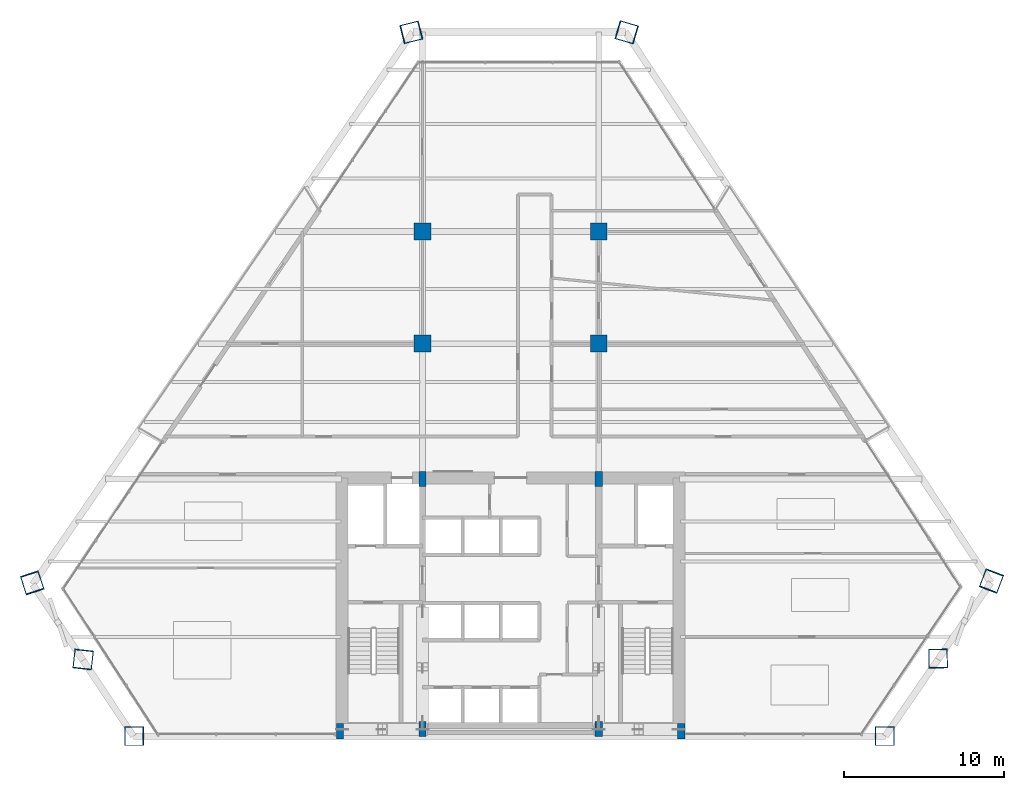
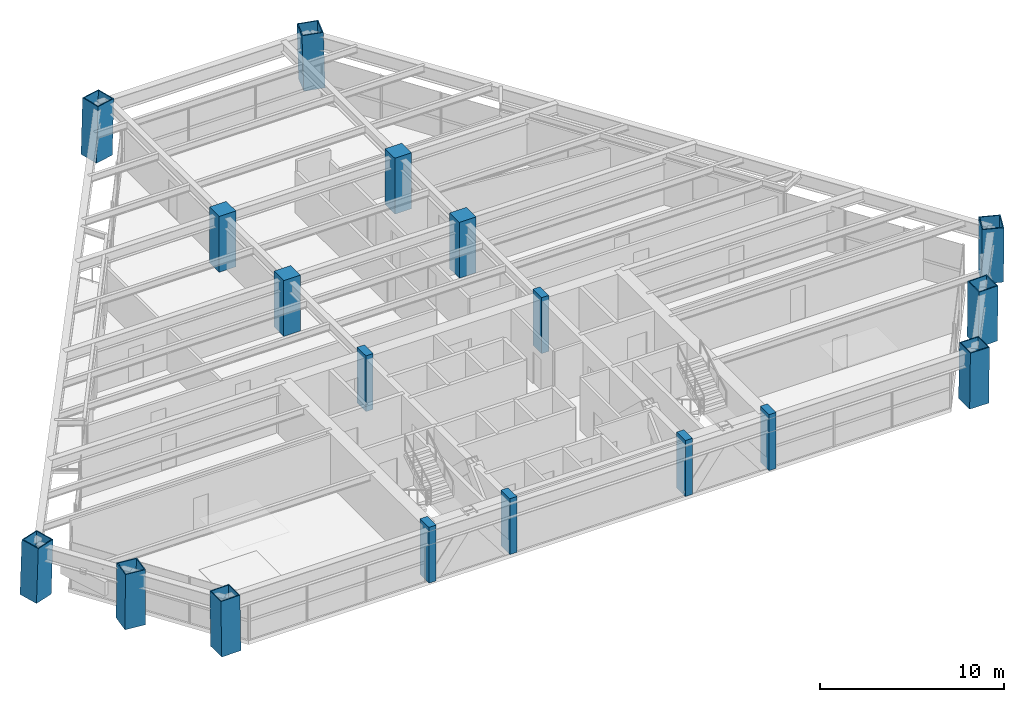
# One storey, part 1 of 14: 18 columns.
"""IFC4 building model written with IfcOpenShell, lengths in metres."""

from ifc_helpers import new_model, si_unit, direction, frame, origin, origin_2d, place, context, subcontext, project, spatial, rectangle, hollow_rectangle, extrude, source, transform, mapped, material, material_profile, profile_set, type_object, type_shapes, element, save


model = new_model("IFC4")

# Units and contexts
model_context = context("Model", 3, precision=1e-05, world=origin(), true_north=direction((0.0, 1.0)))
body_context = subcontext(model_context, "Body", "Model", "MODEL_VIEW")
ifc_project = project(units=[si_unit("LENGTHUNIT", "METRE"), si_unit("AREAUNIT", "SQUARE_METRE"), si_unit("VOLUMEUNIT", "CUBIC_METRE"), si_unit("PLANEANGLEUNIT", "RADIAN"), si_unit("MASSUNIT", "GRAM", prefix="KILO")], contexts=[model_context])

# Site, building, storey
site_placement = place(None, origin())
site = spatial("IfcSite", under=ifc_project, at=site_placement, CompositionType="ELEMENT")
building_placement = place(site_placement, origin())
building = spatial("IfcBuilding", under=site, at=building_placement, Name="Varnakhor Terracotta Tower", CompositionType="ELEMENT")
storey_placement = place(building_placement, frame((0.0, 0.0, 87.699951171875)))
storey = spatial("IfcBuildingStorey", under=building, at=storey_placement, Name="L21", CompositionType="ELEMENT", Elevation=87.699951171875)

# Columns
ifc_material_1 = material(Name="Concrete C50/60", Category="concrete")
ifc_material_profile_1 = material_profile(ifc_material_1, rectangle(XDim=0.449951171875, YDim=0.949951171875, at=origin_2d()), Name="RC PILASTER 950x450")
ifc_profile_set_1 = profile_set([ifc_material_profile_1], Name="Concrete C50/60")
column_type_1 = type_object("IfcColumnType", Name="COL-PIL-950x450", PredefinedType="PILASTER", material=ifc_profile_set_1)
shared_shape_1 = source(origin(), body_context, "Body", "SweptSolid", [
    extrude(rectangle(XDim=0.449951171875, YDim=0.949951171875, at=origin_2d()), origin(), (0.0, 0.0, 1.0), 3.699951171875),
])
for number, where, z_axis, x_axis, name in (
    (1, (-10.64990234375, 0.300048828125, 0.0), (0.0, 0.0, 1.0), (1.0, 0.0, 0.0), "L21 Core Pilaster CP1"),
    (2, (-5.5, 0.449951171875, 0.0), (0.0, 0.0, 1.0), (1.0, 0.0, 0.0), "L21 Core Pilaster CP2"),
    (3, (5.5, 0.449951171875, 0.0), (0.0, 0.0, 1.0), (1.0, 0.0, 0.0), "L21 Core Pilaster CP3"),
    (4, (10.64990234375, 0.300048828125, 0.0), (0.0, 0.0, 1.0), (1.0, 0.0, 0.0), "L21 Core Pilaster CP4"),
    (5, (-5.5, 16.050048828125, 0.0), (0.0, 0.0, 1.0), (1.0, 0.0, 0.0), "L21 Core Pilaster CP5"),
    (6, (5.5, 16.050048828125, 0.0), (0.0, 0.0, 1.0), (1.0, 0.0, 0.0), "L21 Core Pilaster CP6"),
):
    element("IfcColumn", number, at=place(storey_placement, frame(where, z_axis=z_axis, x_axis=x_axis)), inside=storey, type_object=column_type_1, Name=name, PredefinedType="PILASTER", context=body_context, shape_type="MappedRepresentation", body=[
        mapped(shared_shape_1, transform((0.0, 0.0, 0.0), scale=1.0)),
    ])
ifc_material_2 = material(Name="Concrete C60/75", Category="concrete")
ifc_material_profile_2 = material_profile(ifc_material_2, rectangle(XDim=1.050048828125, YDim=1.050048828125, at=origin_2d()), Name="RC 1050x1050")
ifc_profile_set_2 = profile_set([ifc_material_profile_2], Name="Concrete C60/75")
column_type_2 = type_object("IfcColumnType", Name="COL-RC-1050", PredefinedType="COLUMN", material=ifc_profile_set_2)
shared_shape_2 = source(origin(), body_context, "Body", "SweptSolid", [
    extrude(rectangle(XDim=1.050048828125, YDim=1.050048828125, at=origin_2d()), origin(), (0.0, 0.0, 1.0), 3.699951171875),
])
for number, where, z_axis, x_axis, name in (
    (7, (-5.5, 24.5, 0.0), (0.0, 0.0, 1.0), (1.0, 0.0, 0.0), "L21 Interior Tower Column IC1"),
    (8, (5.5, 24.5, 0.0), (0.0, 0.0, 1.0), (1.0, 0.0, 0.0), "L21 Interior Tower Column IC2"),
    (9, (-5.5, 31.5, 0.0), (0.0, 0.0, 1.0), (1.0, 0.0, 0.0), "L21 Interior Tower Column IC3"),
    (10, (5.5, 31.5, 0.0), (0.0, 0.0, 1.0), (1.0, 0.0, 0.0), "L21 Interior Tower Column IC4"),
):
    element("IfcColumn", number, at=place(storey_placement, frame(where, z_axis=z_axis, x_axis=x_axis)), inside=storey, type_object=column_type_2, Name=name, PredefinedType="COLUMN", context=body_context, shape_type="MappedRepresentation", body=[
        mapped(shared_shape_2, transform((0.0, 0.0, 0.0), scale=1.0)),
    ])
ifc_material_3 = material(Name="Steel S460", Category="steel")
ifc_material_profile_3 = material_profile(ifc_material_3, hollow_rectangle(XDim=1.199951171875, YDim=1.199951171875, WallThickness=0.06005859375, at=origin_2d()), Name="BOX 1200x1200x60")
ifc_profile_set_3 = profile_set([ifc_material_profile_3], Name="Steel S460")
column_type_3 = type_object("IfcColumnType", Name="COL-MEGA-1200", PredefinedType="COLUMN", material=ifc_profile_set_3)
shared_shape_3 = source(origin(), body_context, "Body", "SweptSolid", [
    extrude(hollow_rectangle(XDim=1.199951171875, YDim=1.199951171875, WallThickness=0.06005859375, at=origin_2d()), origin(), (0.0, 0.0, 1.0), 3.691650390625),
])
type_shapes(column_type_3, [shared_shape_3])
for number, where, z_axis, x_axis, name in (
    (11, (-23.496337890625, 0.0, 0.00439453125), (-0.014946408819, 0.0, 0.999888296193), (0.0, -1.0, 0.0), "L21 Perimeter Mega-Column M1"),
    (12, (26.684814453125, 4.849365234375, 0.00439453125), (0.000264533588, -0.016070415444, 0.999870827542), (0.999864546824, 0.016458675668, 0.0), "L21 Perimeter Mega-Column M3"),
    (13, (-26.683837890625, 4.793701171875, 0.00439453125), (-0.001917835692, -0.01699599217, 0.999853718379), (0.993693674706, -0.112128858235, 0.0), "L21 Perimeter Mega-Column M8"),
):
    element("IfcColumn", number, at=place(storey_placement, frame(where, z_axis=z_axis, x_axis=x_axis)), inside=storey, type_object=column_type_3, Name=name, PredefinedType="COLUMN", context=body_context, shape_type="MappedRepresentation", body=[
        mapped(shared_shape_3, transform((0.0, 0.0, 0.0), scale=1.0)),
    ])
shared_shape_4 = source(origin(), body_context, "Body", "SweptSolid", [
    extrude(hollow_rectangle(XDim=1.199951171875, YDim=1.199951171875, WallThickness=0.06005859375, at=origin_2d()), origin(), (0.0, 0.0, 1.0), 3.69140625),
])
column_1_placement = place(storey_placement, frame((23.34521484375, 0.0, 0.00439453125), z_axis=(0.01256597649, 0.0, 0.999921045), x_axis=(0.0, 1.0, 0.0)))
element("IfcColumn", 14, at=column_1_placement, inside=storey, type_object=column_type_3, Name="L21 Perimeter Mega-Column M2", PredefinedType="COLUMN", context=body_context, shape_type="MappedRepresentation", body=[
    mapped(shared_shape_4, transform((0.0, 0.0, 0.0), scale=1.0)),
])
shared_shape_5 = source(origin(), body_context, "Body", "SweptSolid", [
    extrude(hollow_rectangle(XDim=1.199951171875, YDim=1.199951171875, WallThickness=0.06005859375, at=origin_2d()), origin(), (0.0, 0.0, 1.0), 3.693359375),
])
column_2_placement = place(storey_placement, frame((30.024658203125, 9.69873046875, 0.00439453125), z_axis=(-0.012229027521, -0.032125985813, 0.999409011327), x_axis=(0.934579094342, -0.35575541657, 0.0)))
element("IfcColumn", 15, at=column_2_placement, inside=storey, type_object=column_type_3, Name="L21 Perimeter Mega-Column M4", PredefinedType="COLUMN", context=body_context, shape_type="MappedRepresentation", body=[
    mapped(shared_shape_5, transform((0.0, 0.0, 0.0), scale=1.0)),
])
shared_shape_6 = source(origin(), body_context, "Body", "SweptSolid", [
    extrude(hollow_rectangle(XDim=1.199951171875, YDim=1.199951171875, WallThickness=0.06005859375, at=origin_2d()), origin(), (0.0, 0.0, 1.0), 3.693603515625),
])
column_3_placement = place(storey_placement, frame((-29.87158203125, 9.587158203125, 0.00439453125), z_axis=(0.011104770243, -0.033909209135, 0.999363222064), x_axis=(0.950337370987, 0.311221595177, 0.0)))
element("IfcColumn", 16, at=column_3_placement, inside=storey, type_object=column_type_3, Name="L21 Perimeter Mega-Column M7", PredefinedType="COLUMN", context=body_context, shape_type="MappedRepresentation", body=[
    mapped(shared_shape_6, transform((0.0, 0.0, 0.0), scale=1.0)),
])
shared_shape_7 = source(origin(), body_context, "Body", "SweptSolid", [
    extrude(hollow_rectangle(XDim=1.199951171875, YDim=1.199951171875, WallThickness=0.06005859375, at=origin_2d()), origin(), (0.0, 0.0, 1.0), 3.692626953125),
])
column_4_placement = place(storey_placement, frame((7.260986328125, 43.93115234375, 0.00439453125), z_axis=(-0.025984254252, 0.007603534959, 0.999633435209), x_axis=(-0.280843888729, -0.959753463221, 0.0)))
element("IfcColumn", 17, at=column_4_placement, inside=storey, type_object=column_type_3, Name="L21 Perimeter Mega-Column M5", PredefinedType="COLUMN", context=body_context, shape_type="MappedRepresentation", body=[
    mapped(shared_shape_7, transform((0.0, 0.0, 0.0), scale=1.0)),
])
shared_shape_8 = source(origin(), body_context, "Body", "SweptSolid", [
    extrude(hollow_rectangle(XDim=1.199951171875, YDim=1.199951171875, WallThickness=0.06005859375, at=origin_2d()), origin(), (0.0, 0.0, 1.0), 3.69287109375),
])
column_5_placement = place(storey_placement, frame((-6.219482421875, 43.93115234375, 0.00439453125), z_axis=(0.030212194549, 0.007602631013, 0.999514593842), x_axis=(-0.24403323817, 0.969766868205, 0.0)))
element("IfcColumn", 18, at=column_5_placement, inside=storey, type_object=column_type_3, Name="L21 Perimeter Mega-Column M6", PredefinedType="COLUMN", context=body_context, shape_type="MappedRepresentation", body=[
    mapped(shared_shape_8, transform((0.0, 0.0, 0.0), scale=1.0)),
])

save(model, "model.ifc")
